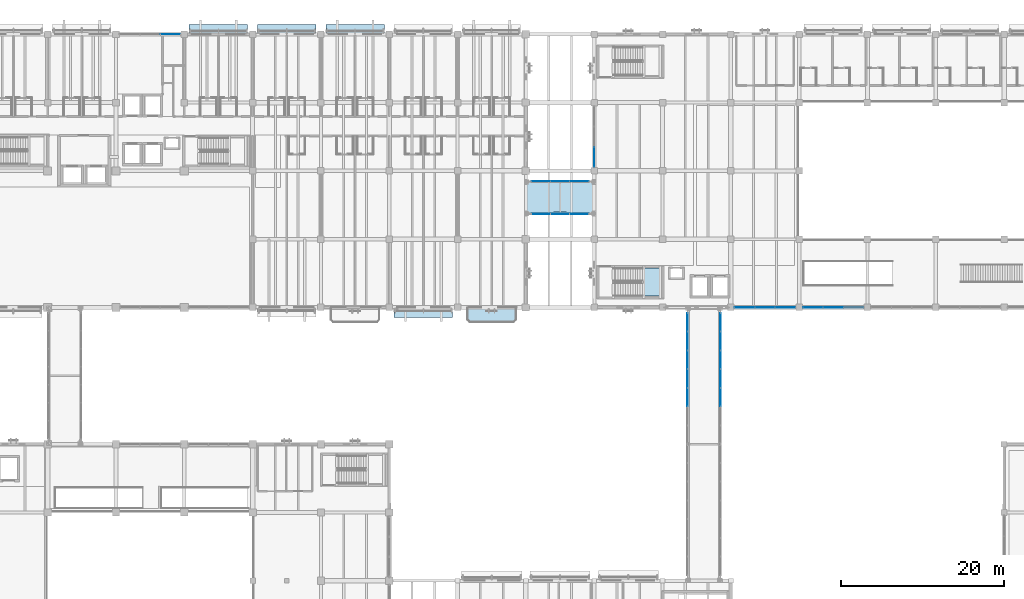
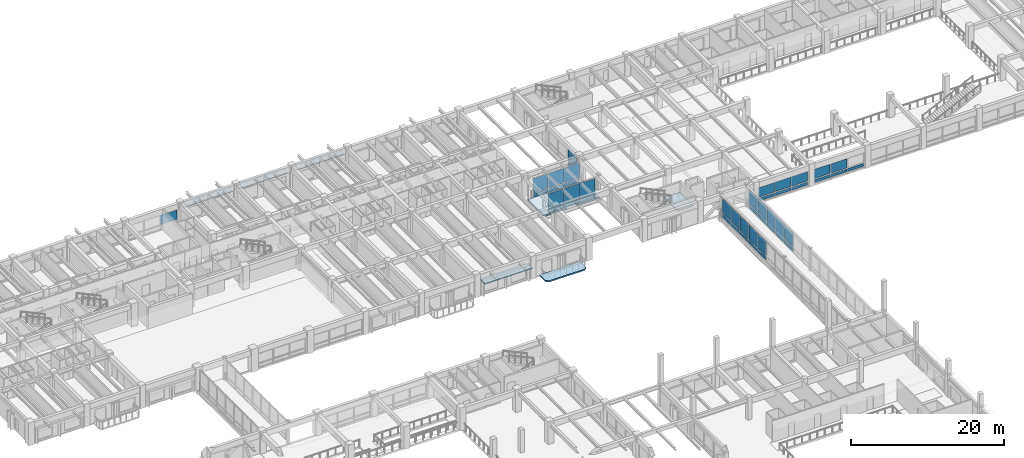
# One storey, part 55 of 118: 50 plates, 3 slabs, 13 elements without a shape of their own.
"""IFC4 building model written with IfcOpenShell, lengths in metres."""

import ifcopenshell
import ifcopenshell.guid

model = None  # the IFC model being written
_history = None  # IfcOwnerHistory: only IFC2X3 demands one
_inside = {}  # id of a spatial element -> (the spatial element, [elements in it])
_under = {}  # id of a project, library or spatial element -> (it, [spatial elements below it])
_declared = {}  # id of a project -> (the project, [libraries it declares])
_typed = {}  # id of a type object -> (the type object, [elements of that type])
_made_of = {}  # id of a material, layer set ... -> (it, [elements and type objects made of it])


def new_model(schema):
    """Start an empty IFC model of exactly this schema.

    Asked for "IFC4X3", IfcOpenShell would pick the latest addendum, in which some entities
    have other attributes; the version numbers below select the first issue.
    IFC2X3 requires an IfcOwnerHistory on every rooted entity: one is made here for all.
    """
    global model, _history
    if schema == "IFC4X3":
        model = ifcopenshell.file(schema_version=(4, 3, 0, 0))
    else:
        model = ifcopenshell.file(schema=schema)
    _inside.clear()
    _under.clear()
    _declared.clear()
    _typed.clear()
    _made_of.clear()
    _history = None
    if model.schema == "IFC2X3":
        org = make("IfcOrganization", Name="unknown")
        user = make(
            "IfcPersonAndOrganization",
            ThePerson=make("IfcPerson", FamilyName="unknown"),
            TheOrganization=org,
        )
        app = make(
            "IfcApplication",
            ApplicationDeveloper=org,
            Version="unknown",
            ApplicationFullName="unknown",
            ApplicationIdentifier="unknown",
        )
        _history = make(
            "IfcOwnerHistory",
            OwningUser=user,
            OwningApplication=app,
            ChangeAction="ADDED",
            CreationDate=0,
        )
    return model


def make(cls, **values):
    """One entity of the class cls with the attributes given. An attribute that is None is left unset."""
    return model.create_entity(
        cls, **{name: value for name, value in values.items() if value is not None}
    )


def rooted(cls, **values):
    """An entity with a GlobalId (a new one), such as an element, a storey or a relation."""
    return make(cls, GlobalId=ifcopenshell.guid.new(), OwnerHistory=_history, **values)


def si_unit(unit_type, name, prefix=None):
    """IfcSIUnit, for example si_unit("LENGTHUNIT", "METRE", prefix="MILLI")."""
    return make("IfcSIUnit", UnitType=unit_type, Prefix=prefix, Name=name)


def assignment(units):
    """IfcUnitAssignment: the units of a project."""
    return None if units is None else make("IfcUnitAssignment", Units=units)


def point(xyz):
    """IfcCartesianPoint."""
    return None if xyz is None else make("IfcCartesianPoint", Coordinates=xyz)


def direction(xyz):
    """IfcDirection."""
    return None if xyz is None else make("IfcDirection", DirectionRatios=xyz)


def frame(location, z_axis=None, x_axis=None):
    """IfcAxis2Placement3D, a coordinate frame: its origin and axes. An axis left out is left unset."""
    return make(
        "IfcAxis2Placement3D",
        Location=point(location),
        Axis=direction(z_axis),
        RefDirection=direction(x_axis),
    )


def frame_2d(location, x_axis=None):
    """IfcAxis2Placement2D, a coordinate frame in the plane: its origin and x axis."""
    return make(
        "IfcAxis2Placement2D", Location=point(location), RefDirection=direction(x_axis)
    )


def origin():
    """The frame at (0, 0, 0) with its axes left unset."""
    return frame((0.0, 0.0, 0.0))


def origin_2d():
    """The frame at (0, 0) in the plane with its x axis left unset."""
    return frame_2d((0.0, 0.0))


def place(relative_to, where):
    """IfcLocalPlacement: puts the frame where relative to a parent placement (None: the world)."""
    return make(
        "IfcLocalPlacement", PlacementRelTo=relative_to, RelativePlacement=where
    )


def context(
    kind, dimensions, precision=None, world=None, true_north=None, identifier=None
):
    """IfcGeometricRepresentationContext, for example the 3D "Model" context."""
    return make(
        "IfcGeometricRepresentationContext",
        ContextIdentifier=identifier,
        ContextType=kind,
        CoordinateSpaceDimension=dimensions,
        Precision=precision,
        WorldCoordinateSystem=world,
        TrueNorth=true_north,
    )


def subcontext(parent, identifier, kind, view, scale=None):
    """IfcGeometricRepresentationSubContext, for example "Body" below "Model"."""
    return make(
        "IfcGeometricRepresentationSubContext",
        ContextIdentifier=identifier,
        ContextType=kind,
        ParentContext=parent,
        TargetScale=scale,
        TargetView=view,
    )


def project(units=None, contexts=None):
    """IfcProject with its units and contexts."""
    return rooted(
        "IfcProject",
        Name="project",
        RepresentationContexts=contexts,
        UnitsInContext=assignment(units),
    )


def spatial(cls, under=None, at=None, **own):
    """A site, building, storey or space (cls), placed at a placement, below another one or the project."""
    s = rooted(cls, ObjectPlacement=at, **own)
    if under is not None:
        _under.setdefault(under.id(), (under, []))[1].append(s)
    return s


def polyline(points):
    """IfcPolyline through the points."""
    return make("IfcPolyline", Points=[point(p) for p in points])


def profile(cls, at=None, kind="AREA", **sizes):
    """A parametric profile (cls). Its sizes go by their IFC names, for example OverallWidth=200.0."""
    return make(cls, ProfileType=kind, Position=at, **sizes)


def rectangle(**sizes):
    """IfcRectangleProfileDef."""
    return profile("IfcRectangleProfileDef", **sizes)


def outline(outer, holes=None, kind="AREA"):
    """IfcArbitraryClosedProfileDef: a profile drawn as a closed curve; with holes, ...WithVoids."""
    if holes is None:
        return make("IfcArbitraryClosedProfileDef", ProfileType=kind, OuterCurve=outer)
    return make(
        "IfcArbitraryProfileDefWithVoids",
        ProfileType=kind,
        OuterCurve=outer,
        InnerCurves=holes,
    )


def extrude(swept, where, along, depth):
    """IfcExtrudedAreaSolid: the profile swept, set in the frame where, extruded along a direction by depth."""
    return make(
        "IfcExtrudedAreaSolid",
        SweptArea=swept,
        Position=where,
        ExtrudedDirection=direction(along),
        Depth=depth,
    )


def shape(context_of_items, identifier, shape_type, items):
    """IfcShapeRepresentation: the items that make up one representation, for example the "Body"."""
    return make(
        "IfcShapeRepresentation",
        ContextOfItems=context_of_items,
        RepresentationIdentifier=identifier,
        RepresentationType=shape_type,
        Items=items,
    )


def material(Name=None, Category=None):
    """IfcMaterial."""
    return make("IfcMaterial", Name=Name, Category=Category)


def layer(
    of_material, thickness, ventilated=None, Name=None, Category=None, Priority=None
):
    """IfcMaterialLayer: one layer of a wall or slab, of a material (None: an air gap)."""
    return make(
        "IfcMaterialLayer",
        Material=of_material,
        LayerThickness=thickness,
        IsVentilated=ventilated,
        Name=Name,
        Category=Category,
        Priority=Priority,
    )


def layer_set(layers, Name=None):
    """IfcMaterialLayerSet."""
    return make("IfcMaterialLayerSet", MaterialLayers=layers, LayerSetName=Name)


def made_of(thing, what):
    """Note that an element or type object is made of a material, layer set ...; save() writes the relation."""
    if what is not None:
        _made_of.setdefault(what.id(), (what, []))[1].append(thing)
    return thing


def type_object(cls, material=None, **own):
    """A type object (cls), such as IfcWallType, which elements share."""
    return made_of(rooted(cls, **own), material)


def element(
    cls,
    number,
    at=None,
    inside=None,
    cuts=None,
    type_object=None,
    material=None,
    context=None,
    identifier="Body",
    shape_type=None,
    held_by="IfcProductDefinitionShape",
    body=None,
    shapes=None,
    **own,
):
    """One element of the class cls, such as IfcWall. Its Tag is "e" and its number.

    at: its placement. inside: the storey or other place that contains it. cuts: it is an
    opening in that element (IfcRelVoidsElement). A single representation is given by context,
    identifier, shape_type and body (its items); several are given by shapes. held_by: the class
    of the entity that holds the representations. save() writes the other relations.
    """
    e = rooted(cls, Tag="e%d" % number, ObjectPlacement=at, **own)
    if body is not None:
        shapes = [shape(context, identifier, shape_type, body)]
    if shapes is not None:
        e.Representation = make(held_by, Representations=shapes)
    if inside is not None:
        _inside.setdefault(inside.id(), (inside, []))[1].append(e)
    if cuts is not None:
        rooted(
            "IfcRelVoidsElement", RelatingBuildingElement=cuts, RelatedOpeningElement=e
        )
    if type_object is not None:
        _typed.setdefault(type_object.id(), (type_object, []))[1].append(e)
    return made_of(e, material)


def aggregate(whole, parts):
    """IfcRelAggregates: a whole, such as a stair, and the parts it consists of."""
    return rooted("IfcRelAggregates", RelatingObject=whole, RelatedObjects=parts)


def save(model, path):
    """Write the relations noted so far, then the file.

    IfcRelAggregates (storeys below a building ...), IfcRelContainedInSpatialStructure (elements
    in a storey), IfcRelDefinesByType, IfcRelAssociatesMaterial and IfcRelDeclares: one each for
    every whole, place, type object, material and project.
    """
    for whole, parts in _under.values():
        aggregate(whole, parts)
    for where, things in _inside.values():
        rooted(
            "IfcRelContainedInSpatialStructure",
            RelatedElements=things,
            RelatingStructure=where,
        )
    for kind, things in _typed.values():
        rooted("IfcRelDefinesByType", RelatedObjects=things, RelatingType=kind)
    for what, things in _made_of.values():
        rooted("IfcRelAssociatesMaterial", RelatedObjects=things, RelatingMaterial=what)
    for by, libraries in _declared.values():
        rooted("IfcRelDeclares", RelatingContext=by, RelatedDefinitions=libraries)
    model.write(path)


model = new_model("IFC4")

# Units and contexts
model_context = context("Model", 3, precision=1e-05, world=origin(), true_north=direction((0.0, 1.0)))
body_context = subcontext(model_context, "Body", "Model", "MODEL_VIEW")
ifc_project = project(units=[si_unit("LENGTHUNIT", "METRE"), si_unit("AREAUNIT", "SQUARE_METRE"), si_unit("VOLUMEUNIT", "CUBIC_METRE"), si_unit("PLANEANGLEUNIT", "RADIAN"), si_unit("MASSUNIT", "GRAM", prefix="KILO")], contexts=[model_context])

# Site, building, storey
site_placement = place(None, origin())
site = spatial("IfcSite", under=ifc_project, at=site_placement, CompositionType="ELEMENT")
building_placement = place(site_placement, origin())
building = spatial("IfcBuilding", under=site, at=building_placement, Name="Cumbredor Promenade Congress Hotel", CompositionType="ELEMENT")
storey_placement = place(building_placement, frame((0.0, 0.0, 3.919921875)))
storey = spatial("IfcBuildingStorey", under=building, at=storey_placement, Name="L01", CompositionType="ELEMENT", Elevation=3.919921875)

# Slab
ifc_material_1 = material(Name="Concrete C40/50", Category="concrete")
ifc_layer_1 = layer(ifc_material_1, 0.215087890625, Name="Concrete C40/50", Category="concrete")
ifc_layer_set_1 = layer_set([ifc_layer_1], Name="Concrete C40/50")
slab_type_1 = type_object("IfcSlabType", Name="Cantilevered Guestroom Balcony Slab 215mm", PredefinedType="FLOOR", material=ifc_layer_set_1)
slab_1_placement = place(storey_placement, frame((0.0, 0.0, -0.21484375)))
element("IfcSlab", 1, at=slab_1_placement, inside=storey, type_object=slab_type_1, Name="L01 Cantilevered Guestroom Veranda Balcony 003", PredefinedType="FLOOR", context=body_context, shape_type="SweptSolid", body=[
    extrude(outline(polyline([(77.10009765625, 82.14990234375), (82.5, 82.14990234375), (82.85009765625, 82.5), (82.85009765625, 84.0), (76.75, 84.0), (76.75, 82.5), (77.10009765625, 82.14990234375)])), origin(), (0.0, 0.0, 1.0), 0.21484375),
])

# Stair, slab
stair_type = type_object("IfcStairType", Name="Protected Dog-Leg Exit Stair ST-T3 1650mm", PredefinedType="HALF_TURN_STAIR", material=ifc_material_1)
stair_placement = place(storey_placement, origin())
stair = element("IfcStair", 2, at=stair_placement, inside=storey, type_object=stair_type, Name="L01 Protected Exit Stair ST-13", PredefinedType="HALF_TURN_STAIR")
ifc_layer_2 = layer(ifc_material_1, 0.199951171875, Name="Concrete C40/50", Category="concrete")
ifc_layer_set_2 = layer_set([ifc_layer_2], Name="Concrete C40/50")
slab_type_2 = type_object("IfcSlabType", Name="Concrete Stair Landing Slab 200mm", PredefinedType="LANDING", material=ifc_layer_set_2)
slab_2_placement = place(storey_placement, frame((0.0, 0.0, 1.6201171875)))
slab_2 = element("IfcSlab", 3, at=slab_2_placement, type_object=slab_type_2, Name="ST-13 landing 1", PredefinedType="LANDING", context=body_context, shape_type="SweptSolid", body=[
    extrude(outline(polyline([(98.35009765625, 85.39990234375), (100.64990234375, 85.39990234375), (100.64990234375, 88.85009765625), (98.35009765625, 88.85009765625), (98.35009765625, 85.39990234375)])), origin(), (0.0, 0.0, 1.0), 0.199951171875),
])
aggregate(stair, [slab_2])

# Curtain wall, plates
ifc_material_2 = material(Name="Thermally broken anodized aluminium and low-E glass", Category="aluminium")
curtain_wall_type_1 = type_object("IfcCurtainWallType", Name="Unitised Bridge Glazing Screen CW-05", PredefinedType="NOTDEFINED", material=ifc_material_2)
curtain_wall_1_placement = place(storey_placement, origin())
curtain_wall_1 = element("IfcCurtainWall", 4, at=curtain_wall_1_placement, inside=storey, type_object=curtain_wall_type_1, Name="L01 Central Reflecting-Pool Promenade Bridge West Glazing Screen", PredefinedType="NOTDEFINED")
ifc_material_3 = material(Name="Laminated low-E solar-control glass", Category="glass")
ifc_layer_3 = layer(ifc_material_3, 0.030029296875, Name="Laminated low-E solar-control glass", Category="glass")
ifc_layer_set_3 = layer_set([ifc_layer_3], Name="Laminated low-E solar-control glass")
plate_type_1 = type_object("IfcPlateType", Name="Glazed Bridge Panel PNL-04", PredefinedType="CURTAIN_PANEL", material=ifc_layer_set_3)
plate_1_placement = place(storey_placement, frame((103.8798828125, 72.964111328125, 0.78515625), z_axis=(0.0, 0.0, 1.0), x_axis=(0.0, 1.0, 0.0)))
plate_1 = element("IfcPlate", 5, at=plate_1_placement, type_object=plate_type_1, Name="L01 Central Reflecting-Pool Promenade Bridge West Glazing Screen Glazing Panel 10.2", PredefinedType="CURTAIN_PANEL", context=body_context, shape_type="SweptSolid", body=[
    extrude(rectangle(XDim=2.24072265625, YDim=0.030029296875, at=origin_2d()), origin(), (0.0, 0.0, 1.0), 2.340087890625),
])
plate_2_placement = place(storey_placement, frame((103.8798828125, 75.27001953125, 0.78515625), z_axis=(0.0, 0.0, 1.0), x_axis=(0.0, 1.0, 0.0)))
plate_2 = element("IfcPlate", 6, at=plate_2_placement, type_object=plate_type_1, Name="L01 Central Reflecting-Pool Promenade Bridge West Glazing Screen Glazing Panel 11.2", PredefinedType="CURTAIN_PANEL", context=body_context, shape_type="SweptSolid", body=[
    extrude(rectangle(XDim=2.24072265625, YDim=0.030029296875, at=origin_2d()), origin(), (0.0, 0.0, 1.0), 2.340087890625),
])
plate_3_placement = place(storey_placement, frame((103.8798828125, 77.57568359375, 0.78515625), z_axis=(0.0, 0.0, 1.0), x_axis=(0.0, 1.0, 0.0)))
plate_3 = element("IfcPlate", 7, at=plate_3_placement, type_object=plate_type_1, Name="L01 Central Reflecting-Pool Promenade Bridge West Glazing Screen Glazing Panel 12.2", PredefinedType="CURTAIN_PANEL", context=body_context, shape_type="SweptSolid", body=[
    extrude(rectangle(XDim=2.24072265625, YDim=0.030029296875, at=origin_2d()), origin(), (0.0, 0.0, 1.0), 2.340087890625),
])
plate_4_placement = place(storey_placement, frame((103.8798828125, 79.881591796875, 0.78515625), z_axis=(0.0, 0.0, 1.0), x_axis=(0.0, 1.0, 0.0)))
plate_4 = element("IfcPlate", 8, at=plate_4_placement, type_object=plate_type_1, Name="L01 Central Reflecting-Pool Promenade Bridge West Glazing Screen Glazing Panel 13.2", PredefinedType="CURTAIN_PANEL", context=body_context, shape_type="SweptSolid", body=[
    extrude(rectangle(XDim=2.24072265625, YDim=0.030029296875, at=origin_2d()), origin(), (0.0, 0.0, 1.0), 2.340087890625),
])
plate_5_placement = place(storey_placement, frame((103.8798828125, 82.187255859375, 0.78515625), z_axis=(0.0, 0.0, 1.0), x_axis=(0.0, 1.0, 0.0)))
plate_5 = element("IfcPlate", 9, at=plate_5_placement, type_object=plate_type_1, Name="L01 Central Reflecting-Pool Promenade Bridge West Glazing Screen Glazing Panel 14.2", PredefinedType="CURTAIN_PANEL", context=body_context, shape_type="SweptSolid", body=[
    extrude(rectangle(XDim=2.24072265625, YDim=0.030029296875, at=origin_2d()), origin(), (0.0, 0.0, 1.0), 2.340087890625),
])

curtain_wall_2_placement = place(storey_placement, origin())
curtain_wall_2 = element("IfcCurtainWall", 10, at=curtain_wall_2_placement, inside=storey, type_object=curtain_wall_type_1, Name="L01 Central Reflecting-Pool Promenade Bridge East Glazing Screen", PredefinedType="NOTDEFINED")
plate_6_placement = place(storey_placement, frame((107.919921875, 72.964111328125, 0.78515625), z_axis=(0.0, 0.0, 1.0), x_axis=(0.0, 1.0, 0.0)))
plate_6 = element("IfcPlate", 11, at=plate_6_placement, type_object=plate_type_1, Name="L01 Central Reflecting-Pool Promenade Bridge East Glazing Screen Glazing Panel 10.2", PredefinedType="CURTAIN_PANEL", context=body_context, shape_type="SweptSolid", body=[
    extrude(rectangle(XDim=2.24072265625, YDim=0.030029296875, at=origin_2d()), origin(), (0.0, 0.0, 1.0), 2.340087890625),
])
plate_7_placement = place(storey_placement, frame((107.919921875, 75.27001953125, 0.78515625), z_axis=(0.0, 0.0, 1.0), x_axis=(0.0, 1.0, 0.0)))
plate_7 = element("IfcPlate", 12, at=plate_7_placement, type_object=plate_type_1, Name="L01 Central Reflecting-Pool Promenade Bridge East Glazing Screen Glazing Panel 11.2", PredefinedType="CURTAIN_PANEL", context=body_context, shape_type="SweptSolid", body=[
    extrude(rectangle(XDim=2.24072265625, YDim=0.030029296875, at=origin_2d()), origin(), (0.0, 0.0, 1.0), 2.340087890625),
])
plate_8_placement = place(storey_placement, frame((107.919921875, 77.57568359375, 0.78515625), z_axis=(0.0, 0.0, 1.0), x_axis=(0.0, 1.0, 0.0)))
plate_8 = element("IfcPlate", 13, at=plate_8_placement, type_object=plate_type_1, Name="L01 Central Reflecting-Pool Promenade Bridge East Glazing Screen Glazing Panel 12.2", PredefinedType="CURTAIN_PANEL", context=body_context, shape_type="SweptSolid", body=[
    extrude(rectangle(XDim=2.24072265625, YDim=0.030029296875, at=origin_2d()), origin(), (0.0, 0.0, 1.0), 2.340087890625),
])
plate_9_placement = place(storey_placement, frame((107.919921875, 79.881591796875, 0.78515625), z_axis=(0.0, 0.0, 1.0), x_axis=(0.0, 1.0, 0.0)))
plate_9 = element("IfcPlate", 14, at=plate_9_placement, type_object=plate_type_1, Name="L01 Central Reflecting-Pool Promenade Bridge East Glazing Screen Glazing Panel 13.2", PredefinedType="CURTAIN_PANEL", context=body_context, shape_type="SweptSolid", body=[
    extrude(rectangle(XDim=2.24072265625, YDim=0.030029296875, at=origin_2d()), origin(), (0.0, 0.0, 1.0), 2.340087890625),
])
plate_10_placement = place(storey_placement, frame((107.919921875, 82.187255859375, 0.78515625), z_axis=(0.0, 0.0, 1.0), x_axis=(0.0, 1.0, 0.0)))
plate_10 = element("IfcPlate", 15, at=plate_10_placement, type_object=plate_type_1, Name="L01 Central Reflecting-Pool Promenade Bridge East Glazing Screen Glazing Panel 14.2", PredefinedType="CURTAIN_PANEL", context=body_context, shape_type="SweptSolid", body=[
    extrude(rectangle(XDim=2.24072265625, YDim=0.030029296875, at=origin_2d()), origin(), (0.0, 0.0, 1.0), 2.340087890625),
])

curtain_wall_3_placement = place(storey_placement, origin())
curtain_wall_3 = element("IfcCurtainWall", 16, at=curtain_wall_3_placement, inside=storey, type_object=curtain_wall_type_1, Name="L01 North Hotel-to-Forum Glazed Bridge South Glazing Screen", PredefinedType="NOTDEFINED")
plate_11_placement = place(storey_placement, frame((85.840087890625, 95.47998046875, 0.78515625), z_axis=(0.0, 0.0, 1.0), x_axis=(1.0, 0.0, 0.0)))
plate_11 = element("IfcPlate", 17, at=plate_11_placement, type_object=plate_type_1, Name="L01 North Hotel-to-Forum Glazed Bridge South Glazing Screen Glazing Panel 1.2", PredefinedType="CURTAIN_PANEL", context=body_context, shape_type="SweptSolid", body=[
    extrude(rectangle(XDim=2.294921875, YDim=0.030029296875, at=origin_2d()), origin(), (0.0, 0.0, 1.0), 2.340087890625),
])
plate_12_placement = place(storey_placement, frame((88.199951171875, 95.47998046875, 0.78515625), z_axis=(0.0, 0.0, 1.0), x_axis=(1.0, 0.0, 0.0)))
plate_12 = element("IfcPlate", 18, at=plate_12_placement, type_object=plate_type_1, Name="L01 North Hotel-to-Forum Glazed Bridge South Glazing Screen Glazing Panel 2.2", PredefinedType="CURTAIN_PANEL", context=body_context, shape_type="SweptSolid", body=[
    extrude(rectangle(XDim=2.294921875, YDim=0.030029296875, at=origin_2d()), origin(), (0.0, 0.0, 1.0), 2.340087890625),
])
plate_13_placement = place(storey_placement, frame((90.56005859375, 95.47998046875, 0.78515625), z_axis=(0.0, 0.0, 1.0), x_axis=(1.0, 0.0, 0.0)))
plate_13 = element("IfcPlate", 19, at=plate_13_placement, type_object=plate_type_1, Name="L01 North Hotel-to-Forum Glazed Bridge South Glazing Screen Glazing Panel 3.2", PredefinedType="CURTAIN_PANEL", context=body_context, shape_type="SweptSolid", body=[
    extrude(rectangle(XDim=2.294921875, YDim=0.030029296875, at=origin_2d()), origin(), (0.0, 0.0, 1.0), 2.340087890625),
])

curtain_wall_4_placement = place(storey_placement, origin())
curtain_wall_4 = element("IfcCurtainWall", 20, at=curtain_wall_4_placement, inside=storey, type_object=curtain_wall_type_1, Name="L01 North Hotel-to-Forum Glazed Bridge North Glazing Screen", PredefinedType="NOTDEFINED")
plate_14_placement = place(storey_placement, frame((85.840087890625, 99.52001953125, 0.78515625), z_axis=(0.0, 0.0, 1.0), x_axis=(1.0, 0.0, 0.0)))
plate_14 = element("IfcPlate", 21, at=plate_14_placement, type_object=plate_type_1, Name="L01 North Hotel-to-Forum Glazed Bridge North Glazing Screen Glazing Panel 1.2", PredefinedType="CURTAIN_PANEL", context=body_context, shape_type="SweptSolid", body=[
    extrude(rectangle(XDim=2.294921875, YDim=0.030029296875, at=origin_2d()), origin(), (0.0, 0.0, 1.0), 2.340087890625),
])
plate_15_placement = place(storey_placement, frame((88.199951171875, 99.52001953125, 0.78515625), z_axis=(0.0, 0.0, 1.0), x_axis=(1.0, 0.0, 0.0)))
plate_15 = element("IfcPlate", 22, at=plate_15_placement, type_object=plate_type_1, Name="L01 North Hotel-to-Forum Glazed Bridge North Glazing Screen Glazing Panel 2.2", PredefinedType="CURTAIN_PANEL", context=body_context, shape_type="SweptSolid", body=[
    extrude(rectangle(XDim=2.294921875, YDim=0.030029296875, at=origin_2d()), origin(), (0.0, 0.0, 1.0), 2.340087890625),
])
plate_16_placement = place(storey_placement, frame((90.56005859375, 99.52001953125, 0.78515625), z_axis=(0.0, 0.0, 1.0), x_axis=(1.0, 0.0, 0.0)))
plate_16 = element("IfcPlate", 23, at=plate_16_placement, type_object=plate_type_1, Name="L01 North Hotel-to-Forum Glazed Bridge North Glazing Screen Glazing Panel 3.2", PredefinedType="CURTAIN_PANEL", context=body_context, shape_type="SweptSolid", body=[
    extrude(rectangle(XDim=2.294921875, YDim=0.030029296875, at=origin_2d()), origin(), (0.0, 0.0, 1.0), 2.340087890625),
])

# Curtain wall, plate
curtain_wall_type_2 = type_object("IfcCurtainWallType", Name="Unitised Forum Curtain Wall CW-02", PredefinedType="NOTDEFINED", material=ifc_material_2)
curtain_wall_5_placement = place(storey_placement, origin())
curtain_wall_5 = element("IfcCurtainWall", 24, at=curtain_wall_5_placement, inside=storey, type_object=curtain_wall_type_2, Name="L01 Pre-Function and Breakout Meeting Forum West Curtain Wall 3", PredefinedType="NOTDEFINED")
ifc_layer_4 = layer(ifc_material_3, 0.028076171875, Name="Laminated low-E solar-control glass", Category="glass")
ifc_layer_set_4 = layer_set([ifc_layer_4], Name="Laminated low-E solar-control glass")
plate_type_2 = type_object("IfcPlateType", Name="Glazed Vision Panel PNL-01", PredefinedType="CURTAIN_PANEL", material=ifc_layer_set_4)
plate_17_placement = place(storey_placement, frame((92.39990234375, 102.50341796875, 0.78515625), z_axis=(0.0, 0.0, 1.0), x_axis=(0.0, 1.0, 0.0)))
plate_17 = element("IfcPlate", 25, at=plate_17_placement, type_object=plate_type_2, Name="L01 Pre-Function and Breakout Meeting Forum West Curtain Wall 3 Glazing Panel 1.2", PredefinedType="CURTAIN_PANEL", context=body_context, shape_type="SweptSolid", body=[
    extrude(rectangle(XDim=2.431640625, YDim=0.028076171875, at=origin_2d()), origin(), (0.0, 0.0, 1.0), 1.780029296875),
])

curtain_wall_type_3 = type_object("IfcCurtainWallType", Name="Unitised Bronze Curtain Wall CW-01", PredefinedType="NOTDEFINED", material=ifc_material_2)
curtain_wall_6_placement = place(storey_placement, origin())
curtain_wall_6 = element("IfcCurtainWall", 26, at=curtain_wall_6_placement, inside=storey, type_object=curtain_wall_type_3, Name="L01 Stepped Congress Hotel Wing North Curtain Wall 5", PredefinedType="NOTDEFINED")
plate_18_placement = place(storey_placement, frame((40.296630859375, 117.60009765625, 0.78515625), z_axis=(0.0, 0.0, 1.0), x_axis=(1.0, 0.0, 0.0)))
plate_18 = element("IfcPlate", 27, at=plate_18_placement, type_object=plate_type_2, Name="L01 Stepped Congress Hotel Wing North Curtain Wall 5 Glazing Panel 3.2", PredefinedType="CURTAIN_PANEL", context=body_context, shape_type="SweptSolid", body=[
    extrude(rectangle(XDim=2.431640625, YDim=0.028076171875, at=origin_2d()), origin(), (0.0, 0.0, 1.0), 1.530029296875),
])
aggregate(curtain_wall_6, [plate_18])

# Curtain wall, plates
curtain_wall_7_placement = place(storey_placement, origin())
curtain_wall_7 = element("IfcCurtainWall", 28, at=curtain_wall_7_placement, inside=storey, type_object=curtain_wall_type_2, Name="L01 Pre-Function and Breakout Meeting Forum South Curtain Wall 3", PredefinedType="NOTDEFINED")
ifc_layer_5 = layer(ifc_material_3, 0.031982421875, Name="Laminated low-E solar-control glass", Category="glass")
ifc_layer_set_5 = layer_set([ifc_layer_5], Name="Laminated low-E solar-control glass")
plate_type_3 = type_object("IfcPlateType", Name="Glazed Vision Panel PNL-02", PredefinedType="CURTAIN_PANEL", material=ifc_layer_set_5)
plate_19_placement = place(storey_placement, frame((110.9033203125, 84.0, 0.795166015625), z_axis=(0.0, 0.0, 1.0), x_axis=(1.0, 0.0, 0.0)))
plate_19 = element("IfcPlate", 29, at=plate_19_placement, type_object=plate_type_3, Name="L01 Pre-Function and Breakout Meeting Forum South Curtain Wall 3 Glazing Panel 1.2", PredefinedType="CURTAIN_PANEL", context=body_context, shape_type="SweptSolid", body=[
    extrude(rectangle(XDim=2.421630859375, YDim=0.031982421875, at=origin_2d()), origin(), (0.0, 0.0, 1.0), 1.5),
])
plate_20_placement = place(storey_placement, frame((113.39990234375, 84.0, 0.795166015625), z_axis=(0.0, 0.0, 1.0), x_axis=(1.0, 0.0, 0.0)))
plate_20 = element("IfcPlate", 30, at=plate_20_placement, type_object=plate_type_3, Name="L01 Pre-Function and Breakout Meeting Forum South Curtain Wall 3 Glazing Panel 2.2", PredefinedType="CURTAIN_PANEL", context=body_context, shape_type="SweptSolid", body=[
    extrude(rectangle(XDim=2.421630859375, YDim=0.031982421875, at=origin_2d()), origin(), (0.0, 0.0, 1.0), 1.5),
])
plate_21_placement = place(storey_placement, frame((115.896484375, 84.0, 0.795166015625), z_axis=(0.0, 0.0, 1.0), x_axis=(1.0, 0.0, 0.0)))
plate_21 = element("IfcPlate", 31, at=plate_21_placement, type_object=plate_type_3, Name="L01 Pre-Function and Breakout Meeting Forum South Curtain Wall 3 Glazing Panel 3.2", PredefinedType="CURTAIN_PANEL", context=body_context, shape_type="SweptSolid", body=[
    extrude(rectangle(XDim=2.421630859375, YDim=0.031982421875, at=origin_2d()), origin(), (0.0, 0.0, 1.0), 1.5),
])

curtain_wall_8_placement = place(storey_placement, origin())
curtain_wall_8 = element("IfcCurtainWall", 32, at=curtain_wall_8_placement, inside=storey, type_object=curtain_wall_type_2, Name="L01 Pre-Function and Breakout Meeting Forum South Curtain Wall 4", PredefinedType="NOTDEFINED")
ifc_layer_6 = layer(ifc_material_3, 0.028076171875, Name="Laminated low-E solar-control glass", Category="glass")
ifc_layer_set_6 = layer_set([ifc_layer_6], Name="Laminated low-E solar-control glass")
plate_type_4 = type_object("IfcPlateType", Name="Glazed Vision Panel PNL-03", PredefinedType="CURTAIN_PANEL", material=ifc_layer_set_6)
plate_22_placement = place(storey_placement, frame((119.30322265625, 84.0, 0.81005859375), z_axis=(0.0, 0.0, 1.0), x_axis=(1.0, 0.0, 0.0)))
plate_22 = element("IfcPlate", 33, at=plate_22_placement, type_object=plate_type_4, Name="L01 Pre-Function and Breakout Meeting Forum South Curtain Wall 4 Glazing Panel 1.2", PredefinedType="CURTAIN_PANEL", context=body_context, shape_type="SweptSolid", body=[
    extrude(rectangle(XDim=2.416748046875, YDim=0.028076171875, at=origin_2d()), origin(), (0.0, 0.0, 1.0), 1.4599609375),
])
plate_23_placement = place(storey_placement, frame((121.800048828125, 84.0, 0.81005859375), z_axis=(0.0, 0.0, 1.0), x_axis=(1.0, 0.0, 0.0)))
plate_23 = element("IfcPlate", 34, at=plate_23_placement, type_object=plate_type_4, Name="L01 Pre-Function and Breakout Meeting Forum South Curtain Wall 4 Glazing Panel 2.2", PredefinedType="CURTAIN_PANEL", context=body_context, shape_type="SweptSolid", body=[
    extrude(rectangle(XDim=2.41650390625, YDim=0.028076171875, at=origin_2d()), origin(), (0.0, 0.0, 1.0), 1.4599609375),
])

# Curtain wall, plate
curtain_wall_type_4 = type_object("IfcCurtainWallType", Name="Solar Brise-Soleil Screen Assembly CW-07", PredefinedType="NOTDEFINED", material=ifc_material_2)
curtain_wall_9_placement = place(storey_placement, origin())
curtain_wall_9 = element("IfcCurtainWall", 35, at=curtain_wall_9_placement, inside=storey, type_object=curtain_wall_type_4, Name="L01 Hospitality Brise-Soleil Screen 020", PredefinedType="NOTDEFINED")
ifc_material_4 = material(Name="Precast concrete C40/50", Category="concrete")
ifc_layer_7 = layer(ifc_material_4, 0.14501953125, Name="Precast concrete C40/50", Category="concrete")
ifc_layer_set_7 = layer_set([ifc_layer_7], Name="Precast concrete C40/50")
plate_type_5 = type_object("IfcPlateType", Name="Horizontal Precast Sun-Hood Eyebrow Plate 145mm", PredefinedType="USERDEFINED", material=ifc_layer_set_7)
plate_24_placement = place(storey_placement, frame((71.39990234375, 83.433837890625, 2.28515625), z_axis=(0.0, 0.0, 1.0), x_axis=(1.0, 0.0, 0.0)))
plate_24 = element("IfcPlate", 36, at=plate_24_placement, type_object=plate_type_5, Name="L01 Horizontal Sun-Hood Eyebrow 020", ObjectType="SUN HOOD", PredefinedType="USERDEFINED", context=body_context, shape_type="SweptSolid", body=[
    extrude(rectangle(XDim=7.197998046875, YDim=1.29248046875, at=origin_2d()), origin(), (0.0, 0.0, 1.0), 0.14501953125),
])
aggregate(curtain_wall_9, [plate_24])

curtain_wall_10_placement = place(storey_placement, origin())
curtain_wall_10 = element("IfcCurtainWall", 37, at=curtain_wall_10_placement, inside=storey, type_object=curtain_wall_type_4, Name="L01 Hospitality Brise-Soleil Screen 025", PredefinedType="NOTDEFINED")
plate_25_placement = place(storey_placement, frame((46.199951171875, 118.14990234375, 2.28515625), z_axis=(0.0, 0.0, 1.0), x_axis=(1.0, 0.0, 0.0)))
plate_25 = element("IfcPlate", 38, at=plate_25_placement, type_object=plate_type_5, Name="L01 Horizontal Sun-Hood Eyebrow 025", ObjectType="SUN HOOD", PredefinedType="USERDEFINED", context=body_context, shape_type="SweptSolid", body=[
    extrude(rectangle(XDim=7.197998046875, YDim=1.260009765625, at=origin_2d()), origin(), (0.0, 0.0, 1.0), 0.14501953125),
])
aggregate(curtain_wall_10, [plate_25])

curtain_wall_11_placement = place(storey_placement, origin())
curtain_wall_11 = element("IfcCurtainWall", 39, at=curtain_wall_11_placement, inside=storey, type_object=curtain_wall_type_4, Name="L01 Hospitality Brise-Soleil Screen 026", PredefinedType="NOTDEFINED")
plate_26_placement = place(storey_placement, frame((54.60009765625, 118.155029296875, 2.28515625), z_axis=(0.0, 0.0, 1.0), x_axis=(1.0, 0.0, 0.0)))
plate_26 = element("IfcPlate", 40, at=plate_26_placement, type_object=plate_type_5, Name="L01 Horizontal Sun-Hood Eyebrow 026", ObjectType="SUN HOOD", PredefinedType="USERDEFINED", context=body_context, shape_type="SweptSolid", body=[
    extrude(rectangle(XDim=7.197998046875, YDim=1.27001953125, at=origin_2d()), origin(), (0.0, 0.0, 1.0), 0.14501953125),
])
aggregate(curtain_wall_11, [plate_26])

curtain_wall_12_placement = place(storey_placement, origin())
curtain_wall_12 = element("IfcCurtainWall", 41, at=curtain_wall_12_placement, inside=storey, type_object=curtain_wall_type_4, Name="L01 Hospitality Brise-Soleil Screen 027", PredefinedType="NOTDEFINED")
plate_27_placement = place(storey_placement, frame((63.0, 118.159912109375, 2.28515625), z_axis=(0.0, 0.0, 1.0), x_axis=(1.0, 0.0, 0.0)))
plate_27 = element("IfcPlate", 42, at=plate_27_placement, type_object=plate_type_5, Name="L01 Horizontal Sun-Hood Eyebrow 027", ObjectType="SUN HOOD", PredefinedType="USERDEFINED", context=body_context, shape_type="SweptSolid", body=[
    extrude(rectangle(XDim=7.197998046875, YDim=1.280029296875, at=origin_2d()), origin(), (0.0, 0.0, 1.0), 0.14501953125),
])
aggregate(curtain_wall_12, [plate_27])

# Plate
ifc_material_5 = material(Name="Thermally broken anodized aluminium", Category="aluminium")
ifc_layer_8 = layer(ifc_material_5, 0.0400390625, Name="Thermally broken anodized aluminium", Category="aluminium")
ifc_layer_set_8 = layer_set([ifc_layer_8], Name="Thermally broken anodized aluminium")
plate_type_6 = type_object("IfcPlateType", Name="Insulated Spandrel Panel PNL-05", PredefinedType="CURTAIN_PANEL", material=ifc_layer_set_8)
plate_28_placement = place(storey_placement, frame((119.30322265625, 84.0, 0.18017578125), z_axis=(0.0, 0.0, 1.0), x_axis=(1.0, 0.0, 0.0)))
plate_28 = element("IfcPlate", 43, at=plate_28_placement, type_object=plate_type_6, Name="L01 Pre-Function and Breakout Meeting Forum South Curtain Wall 4 Spandrel Panel 1.1", PredefinedType="CURTAIN_PANEL", context=body_context, shape_type="SweptSolid", body=[
    extrude(rectangle(XDim=2.416748046875, YDim=0.0400390625, at=origin_2d()), origin(), (0.0, 0.0, 1.0), 0.449951171875),
])

plate_29_placement = place(storey_placement, frame((121.800048828125, 84.0, 0.18017578125), z_axis=(0.0, 0.0, 1.0), x_axis=(1.0, 0.0, 0.0)))
plate_29 = element("IfcPlate", 44, at=plate_29_placement, type_object=plate_type_6, Name="L01 Pre-Function and Breakout Meeting Forum South Curtain Wall 4 Spandrel Panel 2.1", PredefinedType="CURTAIN_PANEL", context=body_context, shape_type="SweptSolid", body=[
    extrude(rectangle(XDim=2.41650390625, YDim=0.0400390625, at=origin_2d()), origin(), (0.0, 0.0, 1.0), 0.449951171875),
])

plate_30_placement = place(storey_placement, frame((124.296630859375, 84.0, 0.18017578125), z_axis=(0.0, 0.0, 1.0), x_axis=(1.0, 0.0, 0.0)))
plate_30 = element("IfcPlate", 45, at=plate_30_placement, type_object=plate_type_6, Name="L01 Pre-Function and Breakout Meeting Forum South Curtain Wall 4 Spandrel Panel 3.1", PredefinedType="CURTAIN_PANEL", context=body_context, shape_type="SweptSolid", body=[
    extrude(rectangle(XDim=2.416748046875, YDim=0.0400390625, at=origin_2d()), origin(), (0.0, 0.0, 1.0), 0.449951171875),
])

aggregate(curtain_wall_8, [plate_28, plate_22, plate_29, plate_23, plate_30])

plate_31_placement = place(storey_placement, frame((92.39990234375, 102.50341796875, 0.125), z_axis=(0.0, 0.0, 1.0), x_axis=(0.0, 1.0, 0.0)))
plate_31 = element("IfcPlate", 46, at=plate_31_placement, type_object=plate_type_6, Name="L01 Pre-Function and Breakout Meeting Forum West Curtain Wall 3 Spandrel Panel 1.1", PredefinedType="CURTAIN_PANEL", context=body_context, shape_type="SweptSolid", body=[
    extrude(rectangle(XDim=2.431640625, YDim=0.0400390625, at=origin_2d()), origin(), (0.0, 0.0, 1.0), 0.530029296875),
])

aggregate(curtain_wall_5, [plate_31, plate_17])

ifc_layer_9 = layer(ifc_material_5, 0.0400390625, Name="Thermally broken anodized aluminium", Category="aluminium")
ifc_layer_set_9 = layer_set([ifc_layer_9], Name="Thermally broken anodized aluminium")
plate_type_7 = type_object("IfcPlateType", Name="Insulated Spandrel Panel PNL-06", PredefinedType="CURTAIN_PANEL", material=ifc_layer_set_9)
plate_32_placement = place(storey_placement, frame((110.9033203125, 84.0, 0.1552734375), z_axis=(0.0, 0.0, 1.0), x_axis=(1.0, 0.0, 0.0)))
plate_32 = element("IfcPlate", 47, at=plate_32_placement, type_object=plate_type_7, Name="L01 Pre-Function and Breakout Meeting Forum South Curtain Wall 3 Spandrel Panel 1.1", PredefinedType="CURTAIN_PANEL", context=body_context, shape_type="SweptSolid", body=[
    extrude(rectangle(XDim=2.421630859375, YDim=0.0400390625, at=origin_2d()), origin(), (0.0, 0.0, 1.0), 0.489990234375),
])

plate_33_placement = place(storey_placement, frame((113.39990234375, 84.0, 0.1552734375), z_axis=(0.0, 0.0, 1.0), x_axis=(1.0, 0.0, 0.0)))
plate_33 = element("IfcPlate", 48, at=plate_33_placement, type_object=plate_type_7, Name="L01 Pre-Function and Breakout Meeting Forum South Curtain Wall 3 Spandrel Panel 2.1", PredefinedType="CURTAIN_PANEL", context=body_context, shape_type="SweptSolid", body=[
    extrude(rectangle(XDim=2.421630859375, YDim=0.0400390625, at=origin_2d()), origin(), (0.0, 0.0, 1.0), 0.489990234375),
])

plate_34_placement = place(storey_placement, frame((115.896484375, 84.0, 0.1552734375), z_axis=(0.0, 0.0, 1.0), x_axis=(1.0, 0.0, 0.0)))
plate_34 = element("IfcPlate", 49, at=plate_34_placement, type_object=plate_type_7, Name="L01 Pre-Function and Breakout Meeting Forum South Curtain Wall 3 Spandrel Panel 3.1", PredefinedType="CURTAIN_PANEL", context=body_context, shape_type="SweptSolid", body=[
    extrude(rectangle(XDim=2.421630859375, YDim=0.0400390625, at=origin_2d()), origin(), (0.0, 0.0, 1.0), 0.489990234375),
])

aggregate(curtain_wall_7, [plate_32, plate_19, plate_33, plate_20, plate_34, plate_21])

plate_35_placement = place(storey_placement, frame((103.8798828125, 72.964111328125, 0.125), z_axis=(0.0, 0.0, 1.0), x_axis=(0.0, 1.0, 0.0)))
plate_35 = element("IfcPlate", 50, at=plate_35_placement, type_object=plate_type_7, Name="L01 Central Reflecting-Pool Promenade Bridge West Glazing Screen Spandrel Panel 10.1", PredefinedType="CURTAIN_PANEL", context=body_context, shape_type="SweptSolid", body=[
    extrude(rectangle(XDim=2.24072265625, YDim=0.0400390625, at=origin_2d()), origin(), (0.0, 0.0, 1.0), 0.530029296875),
])

plate_36_placement = place(storey_placement, frame((103.8798828125, 75.27001953125, 0.125), z_axis=(0.0, 0.0, 1.0), x_axis=(0.0, 1.0, 0.0)))
plate_36 = element("IfcPlate", 51, at=plate_36_placement, type_object=plate_type_7, Name="L01 Central Reflecting-Pool Promenade Bridge West Glazing Screen Spandrel Panel 11.1", PredefinedType="CURTAIN_PANEL", context=body_context, shape_type="SweptSolid", body=[
    extrude(rectangle(XDim=2.24072265625, YDim=0.0400390625, at=origin_2d()), origin(), (0.0, 0.0, 1.0), 0.530029296875),
])

plate_37_placement = place(storey_placement, frame((103.8798828125, 77.57568359375, 0.125), z_axis=(0.0, 0.0, 1.0), x_axis=(0.0, 1.0, 0.0)))
plate_37 = element("IfcPlate", 52, at=plate_37_placement, type_object=plate_type_7, Name="L01 Central Reflecting-Pool Promenade Bridge West Glazing Screen Spandrel Panel 12.1", PredefinedType="CURTAIN_PANEL", context=body_context, shape_type="SweptSolid", body=[
    extrude(rectangle(XDim=2.24072265625, YDim=0.0400390625, at=origin_2d()), origin(), (0.0, 0.0, 1.0), 0.530029296875),
])

plate_38_placement = place(storey_placement, frame((103.8798828125, 79.881591796875, 0.125), z_axis=(0.0, 0.0, 1.0), x_axis=(0.0, 1.0, 0.0)))
plate_38 = element("IfcPlate", 53, at=plate_38_placement, type_object=plate_type_7, Name="L01 Central Reflecting-Pool Promenade Bridge West Glazing Screen Spandrel Panel 13.1", PredefinedType="CURTAIN_PANEL", context=body_context, shape_type="SweptSolid", body=[
    extrude(rectangle(XDim=2.24072265625, YDim=0.0400390625, at=origin_2d()), origin(), (0.0, 0.0, 1.0), 0.530029296875),
])

plate_39_placement = place(storey_placement, frame((103.8798828125, 82.187255859375, 0.125), z_axis=(0.0, 0.0, 1.0), x_axis=(0.0, 1.0, 0.0)))
plate_39 = element("IfcPlate", 54, at=plate_39_placement, type_object=plate_type_7, Name="L01 Central Reflecting-Pool Promenade Bridge West Glazing Screen Spandrel Panel 14.1", PredefinedType="CURTAIN_PANEL", context=body_context, shape_type="SweptSolid", body=[
    extrude(rectangle(XDim=2.24072265625, YDim=0.0400390625, at=origin_2d()), origin(), (0.0, 0.0, 1.0), 0.530029296875),
])

aggregate(curtain_wall_1, [plate_35, plate_1, plate_36, plate_2, plate_37, plate_3, plate_38, plate_4, plate_39, plate_5])

plate_40_placement = place(storey_placement, frame((107.919921875, 72.964111328125, 0.125), z_axis=(0.0, 0.0, 1.0), x_axis=(0.0, 1.0, 0.0)))
plate_40 = element("IfcPlate", 55, at=plate_40_placement, type_object=plate_type_7, Name="L01 Central Reflecting-Pool Promenade Bridge East Glazing Screen Spandrel Panel 10.1", PredefinedType="CURTAIN_PANEL", context=body_context, shape_type="SweptSolid", body=[
    extrude(rectangle(XDim=2.24072265625, YDim=0.0400390625, at=origin_2d()), origin(), (0.0, 0.0, 1.0), 0.530029296875),
])

plate_41_placement = place(storey_placement, frame((107.919921875, 75.27001953125, 0.125), z_axis=(0.0, 0.0, 1.0), x_axis=(0.0, 1.0, 0.0)))
plate_41 = element("IfcPlate", 56, at=plate_41_placement, type_object=plate_type_7, Name="L01 Central Reflecting-Pool Promenade Bridge East Glazing Screen Spandrel Panel 11.1", PredefinedType="CURTAIN_PANEL", context=body_context, shape_type="SweptSolid", body=[
    extrude(rectangle(XDim=2.24072265625, YDim=0.0400390625, at=origin_2d()), origin(), (0.0, 0.0, 1.0), 0.530029296875),
])

plate_42_placement = place(storey_placement, frame((107.919921875, 77.57568359375, 0.125), z_axis=(0.0, 0.0, 1.0), x_axis=(0.0, 1.0, 0.0)))
plate_42 = element("IfcPlate", 57, at=plate_42_placement, type_object=plate_type_7, Name="L01 Central Reflecting-Pool Promenade Bridge East Glazing Screen Spandrel Panel 12.1", PredefinedType="CURTAIN_PANEL", context=body_context, shape_type="SweptSolid", body=[
    extrude(rectangle(XDim=2.24072265625, YDim=0.0400390625, at=origin_2d()), origin(), (0.0, 0.0, 1.0), 0.530029296875),
])

plate_43_placement = place(storey_placement, frame((107.919921875, 79.881591796875, 0.125), z_axis=(0.0, 0.0, 1.0), x_axis=(0.0, 1.0, 0.0)))
plate_43 = element("IfcPlate", 58, at=plate_43_placement, type_object=plate_type_7, Name="L01 Central Reflecting-Pool Promenade Bridge East Glazing Screen Spandrel Panel 13.1", PredefinedType="CURTAIN_PANEL", context=body_context, shape_type="SweptSolid", body=[
    extrude(rectangle(XDim=2.24072265625, YDim=0.0400390625, at=origin_2d()), origin(), (0.0, 0.0, 1.0), 0.530029296875),
])

plate_44_placement = place(storey_placement, frame((107.919921875, 82.187255859375, 0.125), z_axis=(0.0, 0.0, 1.0), x_axis=(0.0, 1.0, 0.0)))
plate_44 = element("IfcPlate", 59, at=plate_44_placement, type_object=plate_type_7, Name="L01 Central Reflecting-Pool Promenade Bridge East Glazing Screen Spandrel Panel 14.1", PredefinedType="CURTAIN_PANEL", context=body_context, shape_type="SweptSolid", body=[
    extrude(rectangle(XDim=2.24072265625, YDim=0.0400390625, at=origin_2d()), origin(), (0.0, 0.0, 1.0), 0.530029296875),
])

aggregate(curtain_wall_2, [plate_40, plate_6, plate_41, plate_7, plate_42, plate_8, plate_43, plate_9, plate_44, plate_10])

plate_45_placement = place(storey_placement, frame((85.840087890625, 95.47998046875, 0.125), z_axis=(0.0, 0.0, 1.0), x_axis=(1.0, 0.0, 0.0)))
plate_45 = element("IfcPlate", 60, at=plate_45_placement, type_object=plate_type_7, Name="L01 North Hotel-to-Forum Glazed Bridge South Glazing Screen Spandrel Panel 1.1", PredefinedType="CURTAIN_PANEL", context=body_context, shape_type="SweptSolid", body=[
    extrude(rectangle(XDim=2.294921875, YDim=0.0400390625, at=origin_2d()), origin(), (0.0, 0.0, 1.0), 0.530029296875),
])

plate_46_placement = place(storey_placement, frame((88.199951171875, 95.47998046875, 0.125), z_axis=(0.0, 0.0, 1.0), x_axis=(1.0, 0.0, 0.0)))
plate_46 = element("IfcPlate", 61, at=plate_46_placement, type_object=plate_type_7, Name="L01 North Hotel-to-Forum Glazed Bridge South Glazing Screen Spandrel Panel 2.1", PredefinedType="CURTAIN_PANEL", context=body_context, shape_type="SweptSolid", body=[
    extrude(rectangle(XDim=2.294921875, YDim=0.0400390625, at=origin_2d()), origin(), (0.0, 0.0, 1.0), 0.530029296875),
])

plate_47_placement = place(storey_placement, frame((90.56005859375, 95.47998046875, 0.125), z_axis=(0.0, 0.0, 1.0), x_axis=(1.0, 0.0, 0.0)))
plate_47 = element("IfcPlate", 62, at=plate_47_placement, type_object=plate_type_7, Name="L01 North Hotel-to-Forum Glazed Bridge South Glazing Screen Spandrel Panel 3.1", PredefinedType="CURTAIN_PANEL", context=body_context, shape_type="SweptSolid", body=[
    extrude(rectangle(XDim=2.294921875, YDim=0.0400390625, at=origin_2d()), origin(), (0.0, 0.0, 1.0), 0.530029296875),
])

aggregate(curtain_wall_3, [plate_45, plate_11, plate_46, plate_12, plate_47, plate_13])

plate_48_placement = place(storey_placement, frame((85.840087890625, 99.52001953125, 0.125), z_axis=(0.0, 0.0, 1.0), x_axis=(1.0, 0.0, 0.0)))
plate_48 = element("IfcPlate", 63, at=plate_48_placement, type_object=plate_type_7, Name="L01 North Hotel-to-Forum Glazed Bridge North Glazing Screen Spandrel Panel 1.1", PredefinedType="CURTAIN_PANEL", context=body_context, shape_type="SweptSolid", body=[
    extrude(rectangle(XDim=2.294921875, YDim=0.0400390625, at=origin_2d()), origin(), (0.0, 0.0, 1.0), 0.530029296875),
])

plate_49_placement = place(storey_placement, frame((88.199951171875, 99.52001953125, 0.125), z_axis=(0.0, 0.0, 1.0), x_axis=(1.0, 0.0, 0.0)))
plate_49 = element("IfcPlate", 64, at=plate_49_placement, type_object=plate_type_7, Name="L01 North Hotel-to-Forum Glazed Bridge North Glazing Screen Spandrel Panel 2.1", PredefinedType="CURTAIN_PANEL", context=body_context, shape_type="SweptSolid", body=[
    extrude(rectangle(XDim=2.294921875, YDim=0.0400390625, at=origin_2d()), origin(), (0.0, 0.0, 1.0), 0.530029296875),
])

plate_50_placement = place(storey_placement, frame((90.56005859375, 99.52001953125, 0.125), z_axis=(0.0, 0.0, 1.0), x_axis=(1.0, 0.0, 0.0)))
plate_50 = element("IfcPlate", 65, at=plate_50_placement, type_object=plate_type_7, Name="L01 North Hotel-to-Forum Glazed Bridge North Glazing Screen Spandrel Panel 3.1", PredefinedType="CURTAIN_PANEL", context=body_context, shape_type="SweptSolid", body=[
    extrude(rectangle(XDim=2.294921875, YDim=0.0400390625, at=origin_2d()), origin(), (0.0, 0.0, 1.0), 0.530029296875),
])

aggregate(curtain_wall_4, [plate_48, plate_14, plate_49, plate_15, plate_50, plate_16])

# Slab
ifc_layer_10 = layer(ifc_material_1, 0.219970703125, Name="Concrete C40/50", Category="concrete")
ifc_layer_set_10 = layer_set([ifc_layer_10], Name="Concrete C40/50")
slab_type_3 = type_object("IfcSlabType", Name="Link Bridge Deck Slab 220mm", PredefinedType="FLOOR", material=ifc_layer_set_10)
slab_3_placement = place(storey_placement, frame((0.0, 0.0, -0.219970703125)))
element("IfcSlab", 66, at=slab_3_placement, inside=storey, type_object=slab_type_3, Name="L01 North Hotel-to-Forum Glazed Bridge Floor Deck", PredefinedType="FLOOR", context=body_context, shape_type="SweptSolid", body=[
    extrude(outline(polyline([(84.0, 95.39990234375), (87.39990234375, 95.39990234375), (87.39990234375, 95.75), (89.0, 95.75), (89.0, 95.39990234375), (92.39990234375, 95.39990234375), (92.39990234375, 99.60009765625), (84.0, 99.60009765625), (84.0, 95.39990234375)])), origin(), (0.0, 0.0, 1.0), 0.219970703125),
])

save(model, "model.ifc")
